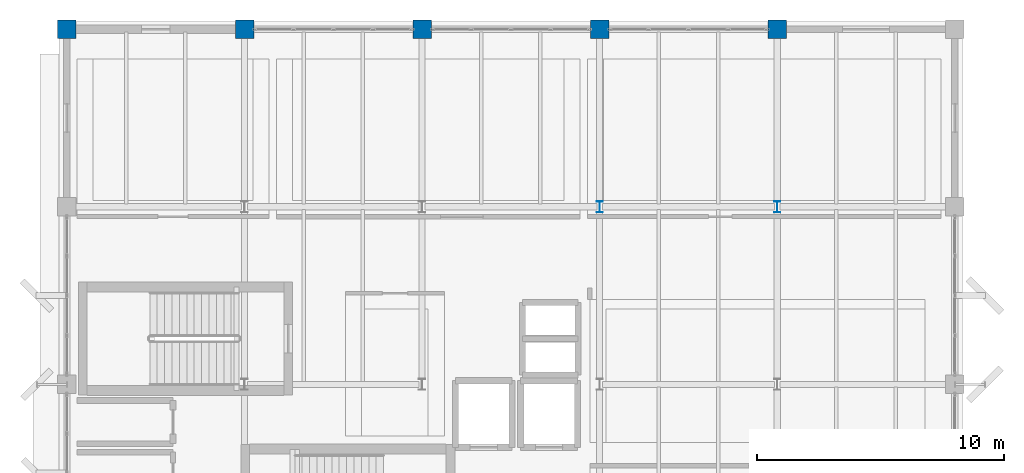
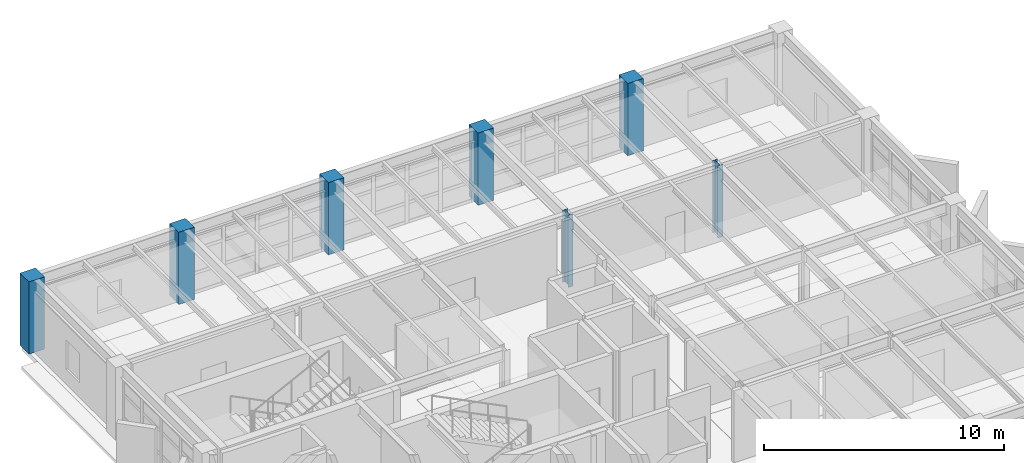
# One storey, part 2 of 24: 7 columns.
"""IFC4 building model written with IfcOpenShell, lengths in metres."""

from ifc_helpers import new_model, si_unit, direction, frame, origin, origin_2d, place, context, subcontext, project, spatial, rectangle, i_section, extrude, material, material_profile, profile_set, type_object, element, save


model = new_model("IFC4")

# Units and contexts
model_context = context("Model", 3, precision=1e-05, world=origin(), true_north=direction((0.0, 1.0)))
body_context = subcontext(model_context, "Body", "Model", "MODEL_VIEW")
ifc_project = project(units=[si_unit("LENGTHUNIT", "METRE"), si_unit("AREAUNIT", "SQUARE_METRE"), si_unit("VOLUMEUNIT", "CUBIC_METRE"), si_unit("PLANEANGLEUNIT", "RADIAN"), si_unit("MASSUNIT", "GRAM", prefix="KILO")], contexts=[model_context])

# Site, building, storey
site_placement = place(None, origin())
site = spatial("IfcSite", under=ifc_project, at=site_placement, CompositionType="ELEMENT")
building_placement = place(site_placement, origin())
building = spatial("IfcBuilding", under=site, at=building_placement, Name="Kandorven Conservatory and Botanical Research Centre", CompositionType="ELEMENT")
storey_placement = place(building_placement, frame((0.0, 0.0, 21.0)))
storey = spatial("IfcBuildingStorey", under=building, at=storey_placement, Name="L05", CompositionType="ELEMENT", Elevation=21.0)

# Columns
ifc_material_1 = material(Name="Steel S355 (IS 2062 E350)", Category="steel")
ifc_material_profile_1 = material_profile(ifc_material_1, i_section(OverallWidth=0.25, OverallDepth=0.449951171875, WebThickness=0.01123046875, FlangeThickness=0.013671875, at=origin_2d()))
ifc_profile_set_1 = profile_set([ifc_material_profile_1], Name="Steel S355 (IS 2062 E350)")
column_type_1 = type_object("IfcColumnType", Name="Col_SC-01", PredefinedType="COLUMN", material=ifc_profile_set_1)
for number, where, z_axis, x_axis, name in (
    (1, (27.60009765625, 27.60009765625, 0.0), (0.0, 0.0, 1.0), (1.0, 0.0, 0.0), "Column SC-01 TWR L05 (4,4)"),
    (2, (34.800048828125, 27.60009765625, 0.0), (0.0, 0.0, 1.0), (1.0, 0.0, 0.0), "Column SC-01 TWR L05 (5,4)"),
):
    element("IfcColumn", number, at=place(storey_placement, frame(where, z_axis=z_axis, x_axis=x_axis)), inside=storey, type_object=column_type_1, Name=name, PredefinedType="COLUMN", context=body_context, shape_type="SweptSolid", body=[
        extrude(i_section(OverallWidth=0.25, OverallDepth=0.449951171875, WebThickness=0.01123046875, FlangeThickness=0.013671875, at=origin_2d()), origin(), (0.0, 0.0, 1.0), 3.669921875),
    ])
ifc_material_2 = material(Name="Concrete C40/50 (M50)", Category="concrete")
ifc_material_profile_2 = material_profile(ifc_material_2, rectangle(XDim=0.75, YDim=0.75, at=origin_2d()))
ifc_profile_set_2 = profile_set([ifc_material_profile_2], Name="Concrete C40/50 (M50)")
column_type_2 = type_object("IfcColumnType", Name="Col_TC-03", PredefinedType="COLUMN", material=ifc_profile_set_2)
for number, where, z_axis, x_axis, name in (
    (3, (6.0, 34.800048828125, 0.0), (0.0, 0.0, 1.0), (1.0, 0.0, 0.0), "Column TC-03 TWR L05 (1,5)"),
    (4, (13.199951171875, 34.800048828125, 0.0), (0.0, 0.0, 1.0), (1.0, 0.0, 0.0), "Column TC-03 TWR L05 (2,5)"),
    (5, (20.39990234375, 34.800048828125, 0.0), (0.0, 0.0, 1.0), (1.0, 0.0, 0.0), "Column TC-03 TWR L05 (3,5)"),
    (6, (27.60009765625, 34.800048828125, 0.0), (0.0, 0.0, 1.0), (1.0, 0.0, 0.0), "Column TC-03 TWR L05 (4,5)"),
    (7, (34.800048828125, 34.800048828125, 0.0), (0.0, 0.0, 1.0), (1.0, 0.0, 0.0), "Column TC-03 TWR L05 (5,5)"),
):
    element("IfcColumn", number, at=place(storey_placement, frame(where, z_axis=z_axis, x_axis=x_axis)), inside=storey, type_object=column_type_2, Name=name, PredefinedType="COLUMN", context=body_context, shape_type="SweptSolid", body=[
        extrude(rectangle(XDim=0.75, YDim=0.75, at=origin_2d()), origin(), (0.0, 0.0, 1.0), 3.669921875),
    ])

save(model, "model.ifc")
